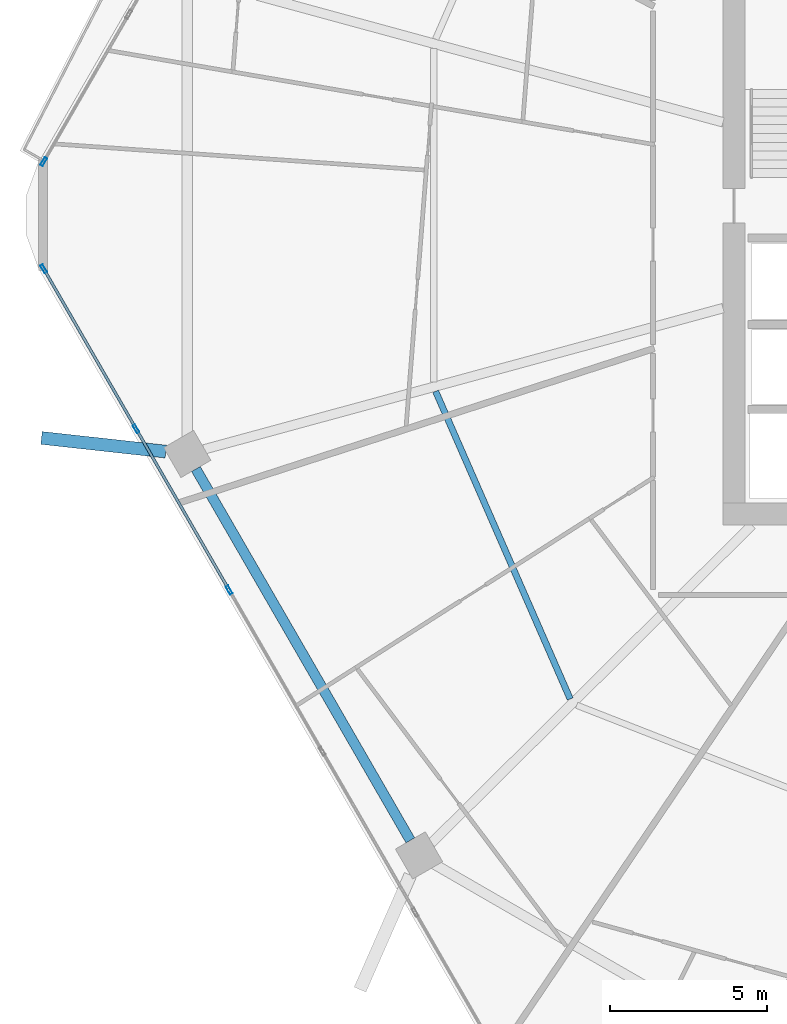
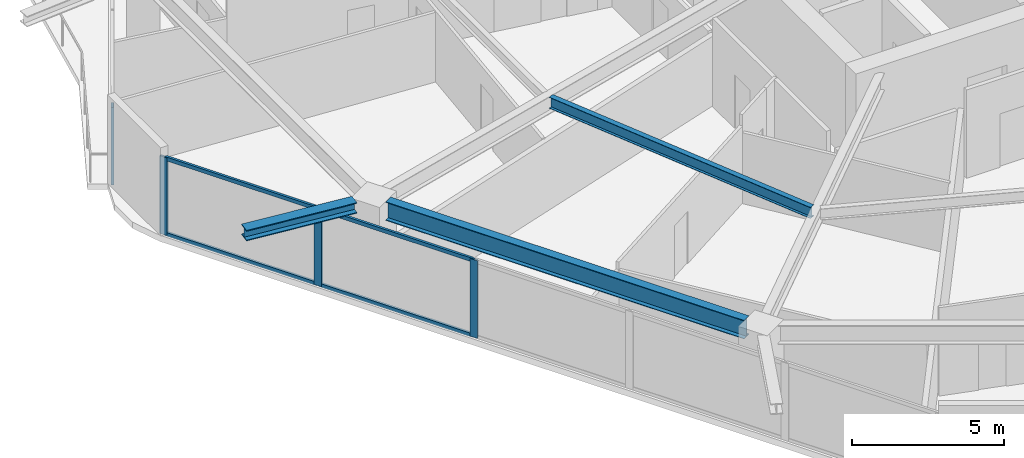
# One storey, part 5 of 32: 8 members, 3 beams, 2 elements without a shape of their own.
"""IFC4 building model written with IfcOpenShell, lengths in metres."""

from ifc_helpers import new_model, si_unit, direction, frame, origin, origin_2d, place, context, subcontext, project, spatial, hollow_rectangle, i_section, extrude, material, material_profile, profile_set, type_object, element, aggregate, save


model = new_model("IFC4")

# Units and contexts
model_context = context("Model", 3, precision=1e-05, world=origin(), true_north=direction((0.0, 1.0)))
body_context = subcontext(model_context, "Body", "Model", "MODEL_VIEW")
ifc_project = project(units=[si_unit("LENGTHUNIT", "METRE"), si_unit("AREAUNIT", "SQUARE_METRE"), si_unit("VOLUMEUNIT", "CUBIC_METRE"), si_unit("PLANEANGLEUNIT", "RADIAN"), si_unit("MASSUNIT", "GRAM", prefix="KILO")], contexts=[model_context])

# Site, building, storey
site_placement = place(None, origin())
site = spatial("IfcSite", under=ifc_project, at=site_placement, CompositionType="ELEMENT")
building_placement = place(site_placement, origin())
building = spatial("IfcBuilding", under=site, at=building_placement, Name="Zuhravey Tower", CompositionType="ELEMENT")
storey_placement = place(building_placement, frame((0.0, 0.0, 119.0)))
storey = spatial("IfcBuildingStorey", under=building, at=storey_placement, Name="L29", CompositionType="ELEMENT", Elevation=119.0)

# Curtain wall, members
ifc_material_1 = material(Name="Thermally broken anodised aluminium", Category="aluminium")
curtain_wall_type = type_object("IfcCurtainWallType", Name="Zone 1-2 Residential Curtain Wall CW3", PredefinedType="NOTDEFINED", material=ifc_material_1)
curtain_wall_1_placement = place(storey_placement, origin())
curtain_wall_1 = element("IfcCurtainWall", 1, at=curtain_wall_1_placement, inside=storey, type_object=curtain_wall_type, Name="L29 CW3 CW-L29-F4-1", PredefinedType="NOTDEFINED")
ifc_material_2 = material(Name="Anodised aluminium", Category="aluminium")
ifc_material_profile_1 = material_profile(ifc_material_2, hollow_rectangle(XDim=0.090087890625, YDim=0.284912109375, WallThickness=0.0048828125, at=origin_2d()), Name="ALU-RHS-90x285x5")
ifc_profile_set_1 = profile_set([ifc_material_profile_1], Name="Anodised aluminium")
member_type_1 = type_object("IfcMemberType", Name="Curtain-Wall Mullion 90x180", PredefinedType="MULLION", material=ifc_profile_set_1)
member_1_placement = place(storey_placement, frame((9.44140625, 20.083984375, 0.0), z_axis=(0.0, 0.0, 1.0), x_axis=(-0.86602552265, -0.499999794119, 0.0)))
member_1 = element("IfcMember", 2, at=member_1_placement, type_object=member_type_1, Name="CW3 mullion 4", PredefinedType="MULLION", context=body_context, shape_type="SweptSolid", body=[
    extrude(hollow_rectangle(XDim=0.090087890625, YDim=0.284912109375, WallThickness=0.0048828125, at=origin_2d()), origin(), (0.0, 0.0, 1.0), 3.1220703125),
])
member_2_placement = place(storey_placement, frame((6.4814453125, 25.210693359375, 0.0), z_axis=(0.0, 0.0, 1.0), x_axis=(-0.86602552265, -0.499999794119, 0.0)))
member_2 = element("IfcMember", 3, at=member_2_placement, type_object=member_type_1, Name="CW3 mullion 5", PredefinedType="MULLION", context=body_context, shape_type="SweptSolid", body=[
    extrude(hollow_rectangle(XDim=0.090087890625, YDim=0.284912109375, WallThickness=0.0048828125, at=origin_2d()), origin(), (0.0, 0.0, 1.0), 3.1220703125),
])
member_3_placement = place(storey_placement, frame((3.5439453125, 30.298583984375, 0.0), z_axis=(0.0, 0.0, 1.0), x_axis=(-0.86602552265, -0.499999794119, 0.0)))
member_3 = element("IfcMember", 4, at=member_3_placement, type_object=member_type_1, Name="CW3 mullion 6", PredefinedType="MULLION", context=body_context, shape_type="SweptSolid", body=[
    extrude(hollow_rectangle(XDim=0.090087890625, YDim=0.284912109375, WallThickness=0.0048828125, at=origin_2d()), origin(), (0.0, 0.0, 1.0), 3.1220703125),
])

# Curtain wall, member
curtain_wall_2_placement = place(storey_placement, origin())
curtain_wall_2 = element("IfcCurtainWall", 5, at=curtain_wall_2_placement, inside=storey, type_object=curtain_wall_type, Name="L29 CW3 CW-L29-F3-1", PredefinedType="NOTDEFINED")
member_4_placement = place(storey_placement, frame((3.5439453125, 33.701416015625, 0.0), z_axis=(0.0, 0.0, 1.0), x_axis=(-0.866025163156, 0.500000416781, 0.0)))
member_4 = element("IfcMember", 6, at=member_4_placement, type_object=member_type_1, Name="CW3 mullion 1", PredefinedType="MULLION", context=body_context, shape_type="SweptSolid", body=[
    extrude(hollow_rectangle(XDim=0.090087890625, YDim=0.284912109375, WallThickness=0.0048828125, at=origin_2d()), origin(), (0.0, 0.0, 1.0), 3.1220703125),
])
aggregate(curtain_wall_2, [member_4])

# Member
ifc_material_profile_2 = material_profile(ifc_material_2, hollow_rectangle(XDim=0.090087890625, YDim=0.14990234375, WallThickness=0.0048828125, at=origin_2d()), Name="ALU-RHS-90x150x5")
ifc_profile_set_2 = profile_set([ifc_material_profile_2], Name="Anodised aluminium")
member_type_2 = type_object("IfcMemberType", Name="Curtain-Wall Transom 90x150", PredefinedType="USERDEFINED", material=ifc_profile_set_2)
member_5_placement = place(storey_placement, frame((9.418701171875, 20.123046875, 0.044921875), z_axis=(-0.499981042766, 0.866036348472, 0.0), x_axis=(-0.866036348472, -0.499981042766, 0.0)))
member_5 = element("IfcMember", 7, at=member_5_placement, type_object=member_type_2, Name="CW3 transom 4.1", ObjectType="TRANSOM", PredefinedType="USERDEFINED", context=body_context, shape_type="SweptSolid", body=[
    extrude(hollow_rectangle(XDim=0.090087890625, YDim=0.14990234375, WallThickness=0.0048828125, at=origin_2d()), origin(), (0.0, 0.0, 1.0), 5.829833984375),
])

member_6_placement = place(storey_placement, frame((9.418701171875, 20.123046875, 3.076904296875), z_axis=(-0.499981042766, 0.866036348472, 0.0), x_axis=(-0.866036348472, -0.499981042766, 0.0)))
member_6 = element("IfcMember", 8, at=member_6_placement, type_object=member_type_2, Name="CW3 transom 4.2", ObjectType="TRANSOM", PredefinedType="USERDEFINED", context=body_context, shape_type="SweptSolid", body=[
    extrude(hollow_rectangle(XDim=0.090087890625, YDim=0.14990234375, WallThickness=0.0048828125, at=origin_2d()), origin(), (0.0, 0.0, 1.0), 5.829833984375),
])

member_7_placement = place(storey_placement, frame((6.458984375, 25.249755859375, 0.044921875), z_axis=(-0.500024450573, 0.866011286779, 0.0), x_axis=(-0.866011286779, -0.500024450573, 0.0)))
member_7 = element("IfcMember", 9, at=member_7_placement, type_object=member_type_2, Name="CW3 transom 5.1", ObjectType="TRANSOM", PredefinedType="USERDEFINED", context=body_context, shape_type="SweptSolid", body=[
    extrude(hollow_rectangle(XDim=0.090087890625, YDim=0.14990234375, WallThickness=0.0048828125, at=origin_2d()), origin(), (0.0, 0.0, 1.0), 5.784912109375),
])

member_8_placement = place(storey_placement, frame((6.458984375, 25.249755859375, 3.076904296875), z_axis=(-0.500024450573, 0.866011286779, 0.0), x_axis=(-0.866011286779, -0.500024450573, 0.0)))
member_8 = element("IfcMember", 10, at=member_8_placement, type_object=member_type_2, Name="CW3 transom 5.2", ObjectType="TRANSOM", PredefinedType="USERDEFINED", context=body_context, shape_type="SweptSolid", body=[
    extrude(hollow_rectangle(XDim=0.090087890625, YDim=0.14990234375, WallThickness=0.0048828125, at=origin_2d()), origin(), (0.0, 0.0, 1.0), 5.784912109375),
])

aggregate(curtain_wall_1, [member_1, member_2, member_3, member_5, member_6, member_7, member_8])

# Beams
ifc_material_3 = material(Name="Steel SM460", Category="steel")
ifc_material_profile_3 = material_profile(ifc_material_3, i_section(OverallWidth=0.406982421875, OverallDepth=0.427978515625, WebThickness=0.02001953125, FlangeThickness=0.034912109375, at=origin_2d()), Name="H-428x407x20x35")
ifc_profile_set_3 = profile_set([ifc_material_profile_3], Name="Steel SM460")
beam_type_1 = type_object("IfcBeamType", Name="Exoskeleton Node Tie Beam H428x407", PredefinedType="BEAM", material=ifc_profile_set_3)
beam_1_placement = place(storey_placement, frame((7.4287109375, 24.4833984375, 3.3359375), z_axis=(-0.994005957907, 0.109325914797, 0.0), x_axis=(-0.109325914797, -0.994005957907, 0.0)))
element("IfcBeam", 11, at=beam_1_placement, inside=storey, type_object=beam_type_1, Name="L29 Exoskeleton Node Tie NT1-07", PredefinedType="BEAM", context=body_context, shape_type="SweptSolid", body=[
    extrude(i_section(OverallWidth=0.406982421875, OverallDepth=0.427978515625, WebThickness=0.02001953125, FlangeThickness=0.034912109375, at=origin_2d()), origin(), (0.0, 0.0, 1.0), 3.97509765625),
])
ifc_material_4 = material(Name="Steel SM355", Category="steel")
ifc_material_profile_4 = material_profile(ifc_material_4, i_section(OverallWidth=0.320068359375, OverallDepth=0.75, WebThickness=0.013916015625, FlangeThickness=0.02490234375, at=origin_2d()), Name="H-750x320x14x25")
ifc_profile_set_4 = profile_set([ifc_material_profile_4], Name="Steel SM355")
beam_type_2 = type_object("IfcBeamType", Name="Perimeter Ring Beam H750x320", PredefinedType="BEAM", material=ifc_profile_set_4)
beam_2_placement = place(storey_placement, frame((8.387451171875, 23.929443359375, 3.175048828125), z_axis=(0.500008177929, -0.866020682204, 0.0), x_axis=(0.866020682204, 0.500008177929, 0.0)))
element("IfcBeam", 12, at=beam_2_placement, inside=storey, type_object=beam_type_2, Name="L29 PB1 BM-L29-PB-07", PredefinedType="BEAM", context=body_context, shape_type="SweptSolid", body=[
    extrude(i_section(OverallWidth=0.320068359375, OverallDepth=0.75, WebThickness=0.013916015625, FlangeThickness=0.02490234375, at=origin_2d()), origin(), (0.0, 0.0, 1.0), 13.634033203125),
])
ifc_material_profile_5 = material_profile(ifc_material_4, i_section(OverallWidth=0.199951171875, OverallDepth=0.449951171875, WebThickness=0.009033203125, FlangeThickness=0.013916015625, at=origin_2d()), Name="H-450x200x9x14")
ifc_profile_set_5 = profile_set([ifc_material_profile_5], Name="Steel SM355")
beam_type_3 = type_object("IfcBeamType", Name="Secondary Floor Joist H450x200", PredefinedType="JOIST", material=ifc_profile_set_5)
beam_3_placement = place(storey_placement, frame((16.00927734375, 26.400390625, 3.324951171875), z_axis=(0.400786454617, -0.916171500209, 0.0), x_axis=(0.916171500209, 0.400786454617, 0.0)))
element("IfcBeam", 13, at=beam_3_placement, inside=storey, type_object=beam_type_3, Name="L29 SJ1 BM-L29-SJ-07-1", PredefinedType="JOIST", context=body_context, shape_type="SweptSolid", body=[
    extrude(i_section(OverallWidth=0.199951171875, OverallDepth=0.449951171875, WebThickness=0.009033203125, FlangeThickness=0.013916015625, at=origin_2d()), origin(), (0.0, 0.0, 1.0), 10.6796875),
])

save(model, "model.ifc")
